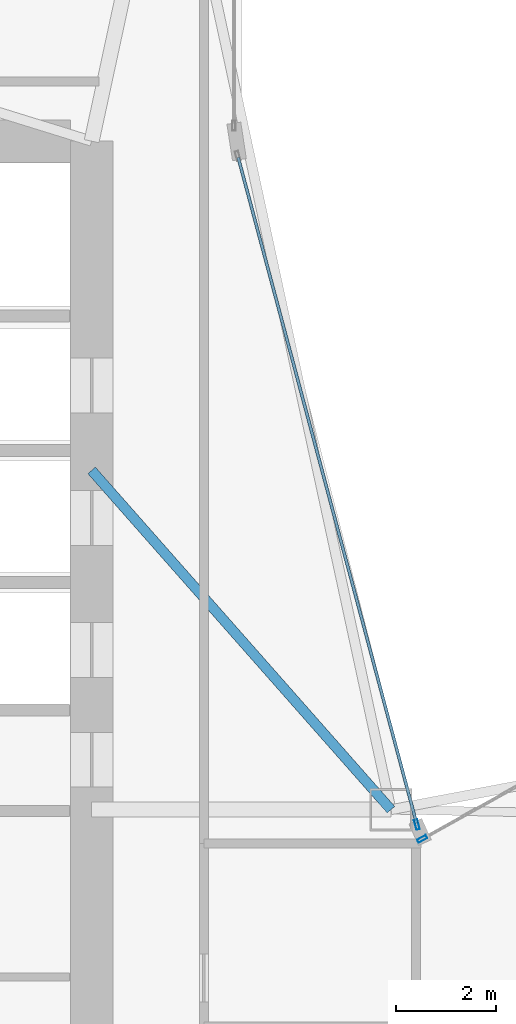
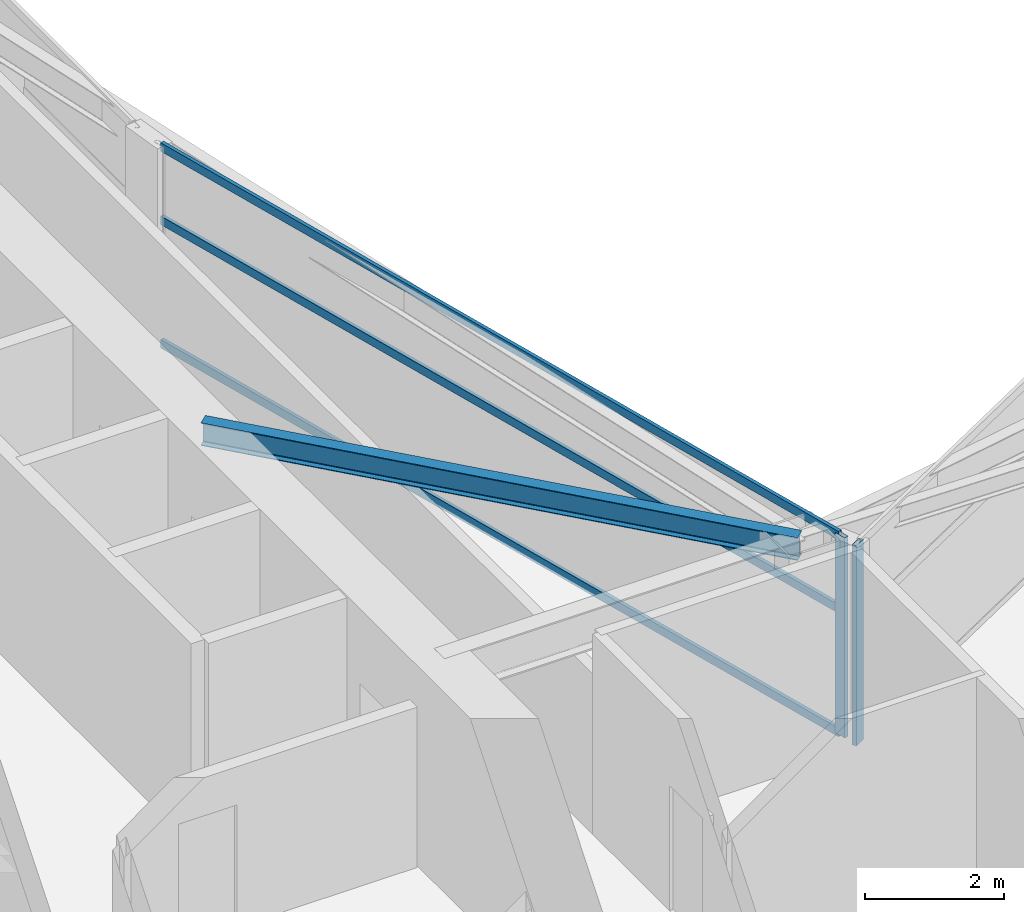
# One storey, part 10 of 28: 5 members, 1 beam, 2 elements without a shape of their own.
"""IFC4 building model written with IfcOpenShell, lengths in metres."""

import ifcopenshell
import ifcopenshell.guid

model = None  # the IFC model being written
_history = None  # IfcOwnerHistory: only IFC2X3 demands one
_inside = {}  # id of a spatial element -> (the spatial element, [elements in it])
_under = {}  # id of a project, library or spatial element -> (it, [spatial elements below it])
_declared = {}  # id of a project -> (the project, [libraries it declares])
_typed = {}  # id of a type object -> (the type object, [elements of that type])
_made_of = {}  # id of a material, layer set ... -> (it, [elements and type objects made of it])


def new_model(schema):
    """Start an empty IFC model of exactly this schema.

    Asked for "IFC4X3", IfcOpenShell would pick the latest addendum, in which some entities
    have other attributes; the version numbers below select the first issue.
    IFC2X3 requires an IfcOwnerHistory on every rooted entity: one is made here for all.
    """
    global model, _history
    if schema == "IFC4X3":
        model = ifcopenshell.file(schema_version=(4, 3, 0, 0))
    else:
        model = ifcopenshell.file(schema=schema)
    _inside.clear()
    _under.clear()
    _declared.clear()
    _typed.clear()
    _made_of.clear()
    _history = None
    if model.schema == "IFC2X3":
        org = make("IfcOrganization", Name="unknown")
        user = make(
            "IfcPersonAndOrganization",
            ThePerson=make("IfcPerson", FamilyName="unknown"),
            TheOrganization=org,
        )
        app = make(
            "IfcApplication",
            ApplicationDeveloper=org,
            Version="unknown",
            ApplicationFullName="unknown",
            ApplicationIdentifier="unknown",
        )
        _history = make(
            "IfcOwnerHistory",
            OwningUser=user,
            OwningApplication=app,
            ChangeAction="ADDED",
            CreationDate=0,
        )
    return model


def make(cls, **values):
    """One entity of the class cls with the attributes given. An attribute that is None is left unset."""
    return model.create_entity(
        cls, **{name: value for name, value in values.items() if value is not None}
    )


def rooted(cls, **values):
    """An entity with a GlobalId (a new one), such as an element, a storey or a relation."""
    return make(cls, GlobalId=ifcopenshell.guid.new(), OwnerHistory=_history, **values)


def si_unit(unit_type, name, prefix=None):
    """IfcSIUnit, for example si_unit("LENGTHUNIT", "METRE", prefix="MILLI")."""
    return make("IfcSIUnit", UnitType=unit_type, Prefix=prefix, Name=name)


def assignment(units):
    """IfcUnitAssignment: the units of a project."""
    return None if units is None else make("IfcUnitAssignment", Units=units)


def point(xyz):
    """IfcCartesianPoint."""
    return None if xyz is None else make("IfcCartesianPoint", Coordinates=xyz)


def direction(xyz):
    """IfcDirection."""
    return None if xyz is None else make("IfcDirection", DirectionRatios=xyz)


def frame(location, z_axis=None, x_axis=None):
    """IfcAxis2Placement3D, a coordinate frame: its origin and axes. An axis left out is left unset."""
    return make(
        "IfcAxis2Placement3D",
        Location=point(location),
        Axis=direction(z_axis),
        RefDirection=direction(x_axis),
    )


def frame_2d(location, x_axis=None):
    """IfcAxis2Placement2D, a coordinate frame in the plane: its origin and x axis."""
    return make(
        "IfcAxis2Placement2D", Location=point(location), RefDirection=direction(x_axis)
    )


def origin():
    """The frame at (0, 0, 0) with its axes left unset."""
    return frame((0.0, 0.0, 0.0))


def origin_2d():
    """The frame at (0, 0) in the plane with its x axis left unset."""
    return frame_2d((0.0, 0.0))


def place(relative_to, where):
    """IfcLocalPlacement: puts the frame where relative to a parent placement (None: the world)."""
    return make(
        "IfcLocalPlacement", PlacementRelTo=relative_to, RelativePlacement=where
    )


def context(
    kind, dimensions, precision=None, world=None, true_north=None, identifier=None
):
    """IfcGeometricRepresentationContext, for example the 3D "Model" context."""
    return make(
        "IfcGeometricRepresentationContext",
        ContextIdentifier=identifier,
        ContextType=kind,
        CoordinateSpaceDimension=dimensions,
        Precision=precision,
        WorldCoordinateSystem=world,
        TrueNorth=true_north,
    )


def subcontext(parent, identifier, kind, view, scale=None):
    """IfcGeometricRepresentationSubContext, for example "Body" below "Model"."""
    return make(
        "IfcGeometricRepresentationSubContext",
        ContextIdentifier=identifier,
        ContextType=kind,
        ParentContext=parent,
        TargetScale=scale,
        TargetView=view,
    )


def project(units=None, contexts=None):
    """IfcProject with its units and contexts."""
    return rooted(
        "IfcProject",
        Name="project",
        RepresentationContexts=contexts,
        UnitsInContext=assignment(units),
    )


def spatial(cls, under=None, at=None, **own):
    """A site, building, storey or space (cls), placed at a placement, below another one or the project."""
    s = rooted(cls, ObjectPlacement=at, **own)
    if under is not None:
        _under.setdefault(under.id(), (under, []))[1].append(s)
    return s


def profile(cls, at=None, kind="AREA", **sizes):
    """A parametric profile (cls). Its sizes go by their IFC names, for example OverallWidth=200.0."""
    return make(cls, ProfileType=kind, Position=at, **sizes)


def hollow_rectangle(**sizes):
    """IfcRectangleHollowProfileDef."""
    return profile("IfcRectangleHollowProfileDef", **sizes)


def i_section(**sizes):
    """IfcIShapeProfileDef."""
    return profile("IfcIShapeProfileDef", **sizes)


def extrude(swept, where, along, depth):
    """IfcExtrudedAreaSolid: the profile swept, set in the frame where, extruded along a direction by depth."""
    return make(
        "IfcExtrudedAreaSolid",
        SweptArea=swept,
        Position=where,
        ExtrudedDirection=direction(along),
        Depth=depth,
    )


def shape(context_of_items, identifier, shape_type, items):
    """IfcShapeRepresentation: the items that make up one representation, for example the "Body"."""
    return make(
        "IfcShapeRepresentation",
        ContextOfItems=context_of_items,
        RepresentationIdentifier=identifier,
        RepresentationType=shape_type,
        Items=items,
    )


def material(Name=None, Category=None):
    """IfcMaterial."""
    return make("IfcMaterial", Name=Name, Category=Category)


def layer(
    of_material, thickness, ventilated=None, Name=None, Category=None, Priority=None
):
    """IfcMaterialLayer: one layer of a wall or slab, of a material (None: an air gap)."""
    return make(
        "IfcMaterialLayer",
        Material=of_material,
        LayerThickness=thickness,
        IsVentilated=ventilated,
        Name=Name,
        Category=Category,
        Priority=Priority,
    )


def layer_set(layers, Name=None):
    """IfcMaterialLayerSet."""
    return make("IfcMaterialLayerSet", MaterialLayers=layers, LayerSetName=Name)


def material_profile(
    of_material, cross_section, Name=None, Category=None, Priority=None
):
    """IfcMaterialProfile: a cross section and its material."""
    return make(
        "IfcMaterialProfile",
        Name=Name,
        Material=of_material,
        Profile=cross_section,
        Priority=Priority,
        Category=Category,
    )


def profile_set(profiles, Name=None, composite=None):
    """IfcMaterialProfileSet."""
    return make(
        "IfcMaterialProfileSet",
        Name=Name,
        MaterialProfiles=profiles,
        CompositeProfile=composite,
    )


def made_of(thing, what):
    """Note that an element or type object is made of a material, layer set ...; save() writes the relation."""
    if what is not None:
        _made_of.setdefault(what.id(), (what, []))[1].append(thing)
    return thing


def type_object(cls, material=None, **own):
    """A type object (cls), such as IfcWallType, which elements share."""
    return made_of(rooted(cls, **own), material)


def element(
    cls,
    number,
    at=None,
    inside=None,
    cuts=None,
    type_object=None,
    material=None,
    context=None,
    identifier="Body",
    shape_type=None,
    held_by="IfcProductDefinitionShape",
    body=None,
    shapes=None,
    **own,
):
    """One element of the class cls, such as IfcWall. Its Tag is "e" and its number.

    at: its placement. inside: the storey or other place that contains it. cuts: it is an
    opening in that element (IfcRelVoidsElement). A single representation is given by context,
    identifier, shape_type and body (its items); several are given by shapes. held_by: the class
    of the entity that holds the representations. save() writes the other relations.
    """
    e = rooted(cls, Tag="e%d" % number, ObjectPlacement=at, **own)
    if body is not None:
        shapes = [shape(context, identifier, shape_type, body)]
    if shapes is not None:
        e.Representation = make(held_by, Representations=shapes)
    if inside is not None:
        _inside.setdefault(inside.id(), (inside, []))[1].append(e)
    if cuts is not None:
        rooted(
            "IfcRelVoidsElement", RelatingBuildingElement=cuts, RelatedOpeningElement=e
        )
    if type_object is not None:
        _typed.setdefault(type_object.id(), (type_object, []))[1].append(e)
    return made_of(e, material)


def aggregate(whole, parts):
    """IfcRelAggregates: a whole, such as a stair, and the parts it consists of."""
    return rooted("IfcRelAggregates", RelatingObject=whole, RelatedObjects=parts)


def save(model, path):
    """Write the relations noted so far, then the file.

    IfcRelAggregates (storeys below a building ...), IfcRelContainedInSpatialStructure (elements
    in a storey), IfcRelDefinesByType, IfcRelAssociatesMaterial and IfcRelDeclares: one each for
    every whole, place, type object, material and project.
    """
    for whole, parts in _under.values():
        aggregate(whole, parts)
    for where, things in _inside.values():
        rooted(
            "IfcRelContainedInSpatialStructure",
            RelatedElements=things,
            RelatingStructure=where,
        )
    for kind, things in _typed.values():
        rooted("IfcRelDefinesByType", RelatedObjects=things, RelatingType=kind)
    for what, things in _made_of.values():
        rooted("IfcRelAssociatesMaterial", RelatedObjects=things, RelatingMaterial=what)
    for by, libraries in _declared.values():
        rooted("IfcRelDeclares", RelatingContext=by, RelatedDefinitions=libraries)
    model.write(path)


model = new_model("IFC4")

# Units and contexts
model_context = context("Model", 3, precision=1e-05, world=origin(), true_north=direction((0.0, 1.0)))
body_context = subcontext(model_context, "Body", "Model", "MODEL_VIEW")
ifc_project = project(units=[si_unit("LENGTHUNIT", "METRE"), si_unit("AREAUNIT", "SQUARE_METRE"), si_unit("VOLUMEUNIT", "CUBIC_METRE"), si_unit("PLANEANGLEUNIT", "RADIAN"), si_unit("MASSUNIT", "GRAM", prefix="KILO")], contexts=[model_context])

# Site, building, storey
site_placement = place(None, origin())
site = spatial("IfcSite", under=ifc_project, at=site_placement, CompositionType="ELEMENT")
building_placement = place(site_placement, origin())
building = spatial("IfcBuilding", under=site, at=building_placement, Name="Calvorn Quay Hotel", CompositionType="ELEMENT")
storey_placement = place(building_placement, frame((0.0, 0.0, 135.39990234375)))
storey = spatial("IfcBuildingStorey", under=building, at=storey_placement, Name="L33", CompositionType="ELEMENT", Elevation=135.39990234375)

# Beam
ifc_material_1 = material(Name="Steel Q355B", Category="steel")
ifc_material_profile_1 = material_profile(ifc_material_1, i_section(OverallWidth=0.199951171875, OverallDepth=0.39990234375, WebThickness=0.008056640625, FlangeThickness=0.012939453125, FilletRadius=0.01611328125, at=origin_2d()), Name="HN400x200x8x13")
ifc_profile_set_1 = profile_set([ifc_material_profile_1], Name="Steel Q355B")
beam_type = type_object("IfcBeamType", Name="BM-JOIST-TYP", PredefinedType="JOIST", material=ifc_profile_set_1)
beam_placement = place(storey_placement, frame((15.0, 31.800048828125, 3.320068359375), z_axis=(0.661618965899, -0.749840212287, 0.0), x_axis=(0.749840212287, 0.661618965899, 0.0)))
element("IfcBeam", 1, at=beam_placement, inside=storey, type_object=beam_type, Name="Beam BJ-L33-C1", PredefinedType="JOIST", context=body_context, shape_type="SweptSolid", body=[
    extrude(i_section(OverallWidth=0.199951171875, OverallDepth=0.39990234375, WebThickness=0.008056640625, FlangeThickness=0.012939453125, FilletRadius=0.01611328125, at=origin_2d()), origin(), (0.0, 0.0, 1.0), 9.068603515625),
])

# Curtain wall, member
ifc_material_2 = material(Name="Pale Anodised Aluminium and Low-E Glass", Category="aluminium")
ifc_layer = layer(ifc_material_2, 0.219970703125)
ifc_layer_set = layer_set([ifc_layer], Name="CW-SYS-Z2")
curtain_wall_type = type_object("IfcCurtainWallType", Name="CW-SYS-Z2", PredefinedType="NOTDEFINED", material=ifc_layer_set)
curtain_wall_1_placement = place(storey_placement, origin())
curtain_wall_1 = element("IfcCurtainWall", 2, at=curtain_wall_1_placement, inside=storey, type_object=curtain_wall_type, Name="Inner Court Curtain Wall L33-NE1", PredefinedType="NOTDEFINED")
ifc_material_3 = material(Name="Pale Anodised Aluminium 6063-T6", Category="aluminium")
ifc_material_profile_2 = material_profile(ifc_material_3, hollow_rectangle(XDim=0.070068359375, YDim=0.199951171875, WallThickness=0.00390625, at=origin_2d()), Name="ALU-M200x70x4")
ifc_profile_set_2 = profile_set([ifc_material_profile_2], Name="Pale Anodised Aluminium 6063-T6")
member_type_1 = type_object("IfcMemberType", Name="CW-SYS-Z2-MUL", PredefinedType="MULLION", material=ifc_profile_set_2)
member_1_placement = place(storey_placement, frame((21.626220703125, 24.41455078125, 0.0), z_axis=(0.0, 0.0, 1.0), x_axis=(0.486858256224, -0.873480989116, 0.0)))
member_1 = element("IfcMember", 3, at=member_1_placement, type_object=member_type_1, Name="CW-L33-NE1 mullion 4", PredefinedType="MULLION", context=body_context, shape_type="SweptSolid", body=[
    extrude(hollow_rectangle(XDim=0.070068359375, YDim=0.199951171875, WallThickness=0.00390625, at=origin_2d()), origin(), (0.0, 0.0, 1.0), 3.52001953125),
])
aggregate(curtain_wall_1, [member_1])

# Curtain wall, members
curtain_wall_2_placement = place(storey_placement, origin())
curtain_wall_2 = element("IfcCurtainWall", 4, at=curtain_wall_2_placement, inside=storey, type_object=curtain_wall_type, Name="Inner Court Curtain Wall L33-IC1", PredefinedType="NOTDEFINED")
member_2_placement = place(storey_placement, frame((21.520263671875, 24.698974609375, 0.0), z_axis=(0.0, 0.0, 1.0), x_axis=(-0.96593652056, -0.25877913024, 0.0)))
member_2 = element("IfcMember", 5, at=member_2_placement, type_object=member_type_1, Name="CW-L33-IC1 mullion 1", PredefinedType="MULLION", context=body_context, shape_type="SweptSolid", body=[
    extrude(hollow_rectangle(XDim=0.070068359375, YDim=0.199951171875, WallThickness=0.00390625, at=origin_2d()), origin(), (0.0, 0.0, 1.0), 3.52001953125),
])
ifc_material_4 = material(Name="Pale Anodised Aluminium 6063-T6", Category="aluminium")
ifc_material_profile_3 = material_profile(ifc_material_4, hollow_rectangle(XDim=0.06005859375, YDim=0.14990234375, WallThickness=0.00341796875, at=origin_2d()), Name="ALU-T150x60x3.5")
ifc_profile_set_3 = profile_set([ifc_material_profile_3], Name="Pale Anodised Aluminium 6063-T6")
member_type_2 = type_object("IfcMemberType", Name="CW-SYS-Z2-TRN", PredefinedType="USERDEFINED", material=ifc_profile_set_3)
member_3_placement = place(storey_placement, frame((21.512451171875, 24.72802734375, 0.030029296875), z_axis=(-0.258781136883, 0.965935982969, 0.0), x_axis=(-0.965935982969, -0.258781136883, 0.0)))
member_3 = element("IfcMember", 6, at=member_3_placement, type_object=member_type_2, Name="CW-L33-IC1 transom 1.1", ObjectType="TRANSOM", PredefinedType="USERDEFINED", context=body_context, shape_type="SweptSolid", body=[
    extrude(hollow_rectangle(XDim=0.06005859375, YDim=0.14990234375, WallThickness=0.00341796875, at=origin_2d()), origin(), (0.0, 0.0, 1.0), 13.814453125),
])
member_4_placement = place(storey_placement, frame((21.512451171875, 24.72802734375, 2.2001953125), z_axis=(-0.258781136883, 0.965935982969, 0.0), x_axis=(-0.965935982969, -0.258781136883, 0.0)))
member_4 = element("IfcMember", 7, at=member_4_placement, type_object=member_type_2, Name="CW-L33-IC1 transom 1.2", ObjectType="TRANSOM", PredefinedType="USERDEFINED", context=body_context, shape_type="SweptSolid", body=[
    extrude(hollow_rectangle(XDim=0.06005859375, YDim=0.14990234375, WallThickness=0.00341796875, at=origin_2d()), origin(), (0.0, 0.0, 1.0), 13.814453125),
])
member_5_placement = place(storey_placement, frame((21.512451171875, 24.72802734375, 3.489990234375), z_axis=(-0.258781136883, 0.965935982969, 0.0), x_axis=(-0.965935982969, -0.258781136883, 0.0)))
member_5 = element("IfcMember", 8, at=member_5_placement, type_object=member_type_2, Name="CW-L33-IC1 transom 1.3", ObjectType="TRANSOM", PredefinedType="USERDEFINED", context=body_context, shape_type="SweptSolid", body=[
    extrude(hollow_rectangle(XDim=0.06005859375, YDim=0.14990234375, WallThickness=0.00341796875, at=origin_2d()), origin(), (0.0, 0.0, 1.0), 13.814453125),
])
aggregate(curtain_wall_2, [member_2, member_3, member_4, member_5])

save(model, "model.ifc")
